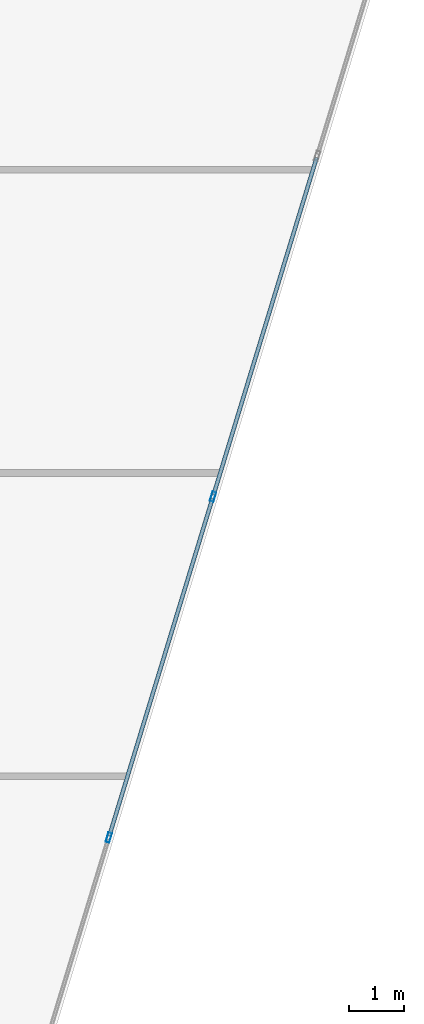
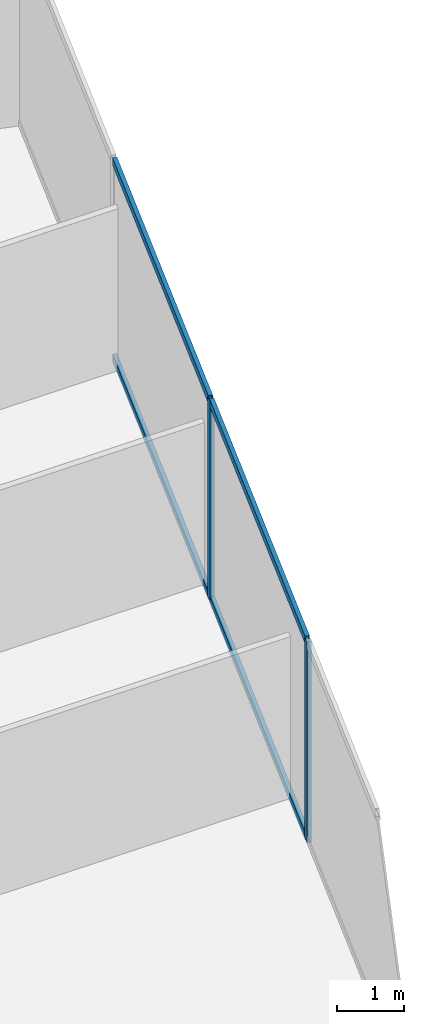
# One storey, part 12 of 26: 6 members, 1 element without a shape of its own.
"""IFC4 building model written with IfcOpenShell, lengths in metres."""

from ifc_helpers import new_model, si_unit, direction, frame, origin, origin_2d, place, context, subcontext, project, spatial, hollow_rectangle, extrude, source, transform, mapped, material, material_profile, profile_set, type_object, type_shapes, element, aggregate, save


model = new_model("IFC4")

# Units and contexts
model_context = context("Model", 3, precision=1e-05, world=origin(), true_north=direction((0.0, 1.0)))
body_context = subcontext(model_context, "Body", "Model", "MODEL_VIEW")
ifc_project = project(units=[si_unit("LENGTHUNIT", "METRE"), si_unit("AREAUNIT", "SQUARE_METRE"), si_unit("VOLUMEUNIT", "CUBIC_METRE"), si_unit("PLANEANGLEUNIT", "RADIAN"), si_unit("MASSUNIT", "GRAM", prefix="KILO")], contexts=[model_context])

# Site, building, storey
site_placement = place(None, origin())
site = spatial("IfcSite", under=ifc_project, at=site_placement, CompositionType="ELEMENT")
building_placement = place(site_placement, origin())
building = spatial("IfcBuilding", under=site, at=building_placement, Name="Krantzveldt Concourse Tower", CompositionType="ELEMENT")
storey_placement = place(building_placement, frame((0.0, 0.0, 109.800048828125)))
storey = spatial("IfcBuildingStorey", under=building, at=storey_placement, Name="L26", CompositionType="ELEMENT", Elevation=109.800048828125)

# Curtain wall, members
ifc_material = material(Name="Anodised aluminium 6063-T6", Category="aluminium")
curtain_wall_type = type_object("IfcCurtainWallType", Name="CW2", PredefinedType="USERDEFINED", material=ifc_material)
curtain_wall_placement = place(storey_placement, origin())
curtain_wall = element("IfcCurtainWall", 1, at=curtain_wall_placement, inside=storey, type_object=curtain_wall_type, Name="CW-L26-F07", ObjectType="UNITISED CURTAIN WALL", PredefinedType="USERDEFINED")
ifc_material_profile_1 = material_profile(ifc_material, hollow_rectangle(XDim=0.070068359375, YDim=0.179931640625, WallThickness=0.0048828125, at=origin_2d()), Name="Anodised aluminium 6063-T6", Category="aluminium")
ifc_profile_set_1 = profile_set([ifc_material_profile_1], Name="Anodised aluminium 6063-T6 - ALU-MULL 180x70x5")
member_type_1 = type_object("IfcMemberType", Name="CW-MUL-180", PredefinedType="MULLION", material=ifc_profile_set_1)
shared_shape_1 = source(origin(), body_context, "Body", "SweptSolid", [
    extrude(hollow_rectangle(XDim=0.070068359375, YDim=0.179931640625, WallThickness=0.0048828125, at=origin_2d()), origin(), (0.0, 0.0, 1.0), 3.669921875),
])
type_shapes(member_type_1, [shared_shape_1])
member_1_placement = place(storey_placement, frame((58.29150390625, 19.884765625, 0.0), z_axis=(0.0, 0.0, 1.0), x_axis=(-0.956304761423, 0.292371686864, 0.0)))
member_1 = element("IfcMember", 2, at=member_1_placement, type_object=member_type_1, Name="CW-Z12 mullion 4", PredefinedType="MULLION", context=body_context, shape_type="MappedRepresentation", body=[
    mapped(shared_shape_1, transform((0.0, 0.0, 0.0), x_axis=(1.0, 0.0, 0.0), y_axis=(0.0, 1.0, 0.0), z_axis=(0.0, 0.0, 1.0), scale=1.0)),
])
member_2_placement = place(storey_placement, frame((60.18212890625, 26.06884765625, 0.0), z_axis=(0.0, 0.0, 1.0), x_axis=(-0.956304761423, 0.292371686864, 0.0)))
member_2 = element("IfcMember", 3, at=member_2_placement, type_object=member_type_1, Name="CW-Z12 mullion 5", PredefinedType="MULLION", context=body_context, shape_type="MappedRepresentation", body=[
    mapped(shared_shape_1, transform((0.0, 0.0, 0.0), x_axis=(1.0, 0.0, 0.0), y_axis=(0.0, 1.0, 0.0), z_axis=(0.0, 0.0, 1.0), scale=1.0)),
])
ifc_material_profile_2 = material_profile(ifc_material, hollow_rectangle(XDim=0.070068359375, YDim=0.139892578125, WallThickness=0.0048828125, at=origin_2d()), Name="Anodised aluminium 6063-T6", Category="aluminium")
ifc_profile_set_2 = profile_set([ifc_material_profile_2], Name="Anodised aluminium 6063-T6 - ALU-TRAN 140x70x5")
member_type_2 = type_object("IfcMemberType", Name="CW-TRN-150", PredefinedType="USERDEFINED", material=ifc_profile_set_2)
shared_shape_2 = source(origin(), body_context, "Body", "SweptSolid", [
    extrude(hollow_rectangle(XDim=0.070068359375, YDim=0.139892578125, WallThickness=0.0048828125, at=origin_2d()), origin(), (0.0, 0.0, 1.0), 6.396728515625),
])
type_shapes(member_type_2, [shared_shape_2])
member_3_placement = place(storey_placement, frame((58.3017578125, 19.918212890625, 0.034912109375), z_axis=(0.292358163404, 0.956308895855, 0.0), x_axis=(-0.956308895855, 0.292358163404, 0.0)))
member_3 = element("IfcMember", 4, at=member_3_placement, type_object=member_type_2, Name="CW-Z12 transom 4.1", ObjectType="TRANSOM", PredefinedType="USERDEFINED", context=body_context, shape_type="MappedRepresentation", body=[
    mapped(shared_shape_2, transform((0.0, 0.0, 0.0), x_axis=(1.0, 0.0, 0.0), y_axis=(0.0, 1.0, 0.0), z_axis=(0.0, 0.0, 1.0), scale=1.0)),
])
member_4_placement = place(storey_placement, frame((58.3017578125, 19.918212890625, 3.635009765625), z_axis=(0.292358163404, 0.956308895855, 0.0), x_axis=(-0.956308895855, 0.292358163404, 0.0)))
member_4 = element("IfcMember", 5, at=member_4_placement, type_object=member_type_2, Name="CW-Z12 transom 4.2", ObjectType="TRANSOM", PredefinedType="USERDEFINED", context=body_context, shape_type="MappedRepresentation", body=[
    mapped(shared_shape_2, transform((0.0, 0.0, 0.0), x_axis=(1.0, 0.0, 0.0), y_axis=(0.0, 1.0, 0.0), z_axis=(0.0, 0.0, 1.0), scale=1.0)),
])
member_5_placement = place(storey_placement, frame((60.1923828125, 26.102294921875, 0.034912109375), z_axis=(0.292358163404, 0.956308895855, 0.0), x_axis=(-0.956308895855, 0.292358163404, 0.0)))
member_5 = element("IfcMember", 6, at=member_5_placement, type_object=member_type_2, Name="CW-Z12 transom 5.1", ObjectType="TRANSOM", PredefinedType="USERDEFINED", context=body_context, shape_type="MappedRepresentation", body=[
    mapped(shared_shape_2, transform((0.0, 0.0, 0.0), x_axis=(1.0, 0.0, 0.0), y_axis=(0.0, 1.0, 0.0), z_axis=(0.0, 0.0, 1.0), scale=1.0)),
])
member_6_placement = place(storey_placement, frame((60.1923828125, 26.102294921875, 3.635009765625), z_axis=(0.292358163404, 0.956308895855, 0.0), x_axis=(-0.956308895855, 0.292358163404, 0.0)))
member_6 = element("IfcMember", 7, at=member_6_placement, type_object=member_type_2, Name="CW-Z12 transom 5.2", ObjectType="TRANSOM", PredefinedType="USERDEFINED", context=body_context, shape_type="MappedRepresentation", body=[
    mapped(shared_shape_2, transform((0.0, 0.0, 0.0), x_axis=(1.0, 0.0, 0.0), y_axis=(0.0, 1.0, 0.0), z_axis=(0.0, 0.0, 1.0), scale=1.0)),
])
aggregate(curtain_wall, [member_1, member_2, member_3, member_4, member_5, member_6])

save(model, "model.ifc")
